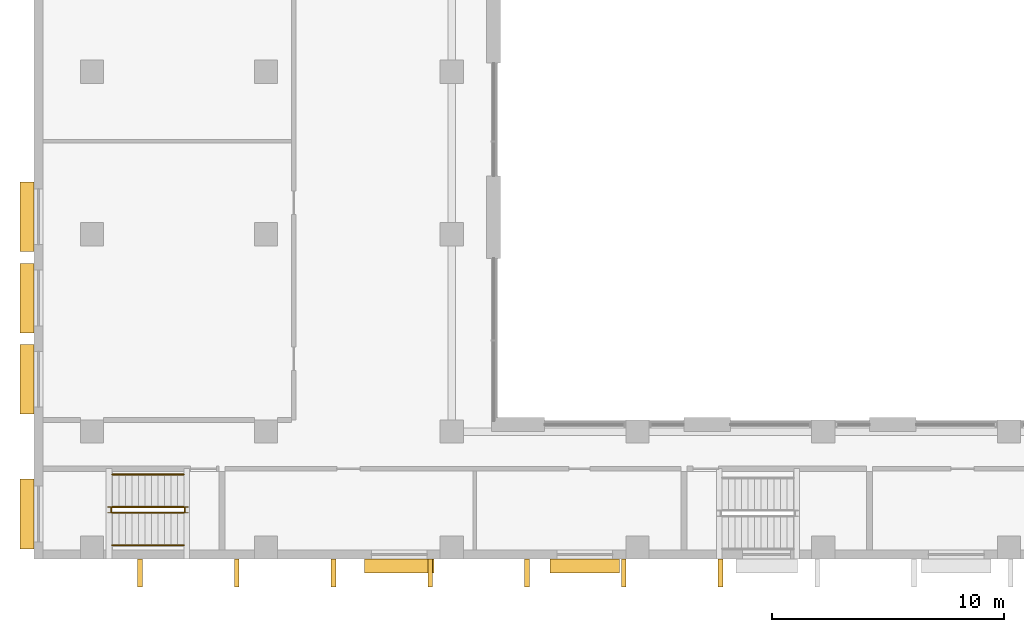
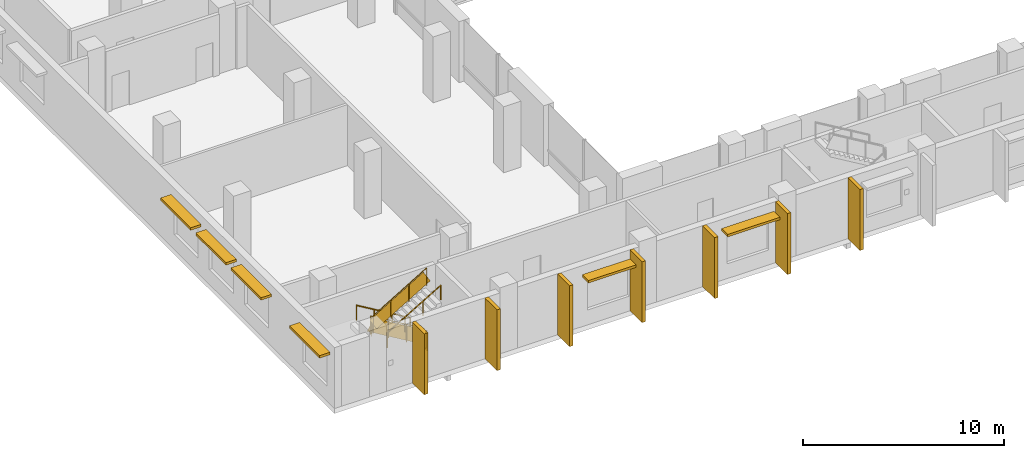
# One storey, part 17 of 25: 13 shading devices, 6 railings.
"""IFC4 building model written with IfcOpenShell, lengths in metres."""

from ifc_helpers import new_model, si_unit, direction, frame, frame_2d, origin, origin_2d, place, context, subcontext, project, spatial, rectangle, circle, extrude, material, layer, layer_set, type_object, element, save


model = new_model("IFC4")

# Units and contexts
model_context = context("Model", 3, precision=1e-05, world=origin(), true_north=direction((0.0, 1.0)))
body_context = subcontext(model_context, "Body", "Model", "MODEL_VIEW")
ifc_project = project(units=[si_unit("LENGTHUNIT", "METRE"), si_unit("AREAUNIT", "SQUARE_METRE"), si_unit("VOLUMEUNIT", "CUBIC_METRE"), si_unit("PLANEANGLEUNIT", "RADIAN"), si_unit("MASSUNIT", "GRAM", prefix="KILO")], contexts=[model_context])

# Site, building, storey
site_placement = place(None, origin())
site = spatial("IfcSite", under=ifc_project, at=site_placement, CompositionType="ELEMENT")
building_placement = place(site_placement, origin())
building = spatial("IfcBuilding", under=site, at=building_placement, Name="Vidyagriha Tower", CompositionType="ELEMENT")
storey_placement = place(building_placement, frame((0.0, 0.0, 18.0)))
storey = spatial("IfcBuildingStorey", under=building, at=storey_placement, Name="L04", CompositionType="ELEMENT", Elevation=18.0)

# Shading devices
ifc_material_1 = material(Name="Precast concrete C40/50 with brick facing", Category="concrete")
ifc_layer_1 = layer(ifc_material_1, 0.14990234375)
ifc_layer_set_1 = layer_set([ifc_layer_1], Name="Precast concrete C40/50 with brick facing")
shading_device_type_1 = type_object("IfcShadingDeviceType", Name="Brick chhajja window hood", PredefinedType="AWNING", material=ifc_layer_set_1)
for number, where, z_axis, x_axis, name in (
    (1, (-40.300048828125, -35.25, 3.0), (0.0, 0.0, 1.0), (0.0, -1.0, 0.0), "Window hood L04 R05.15"),
    (2, (-40.300048828125, -38.75, 3.0), (0.0, 0.0, 1.0), (0.0, -1.0, 0.0), "Window hood L04 R05.16"),
    (3, (-40.300048828125, -42.25, 3.0), (0.0, 0.0, 1.0), (0.0, -1.0, 0.0), "Window hood L04 R05.17"),
    (4, (-40.300048828125, -48.050048828125, 3.0), (0.0, 0.0, 1.0), (0.0, -1.0, 0.0), "Window hood L04 R05.19"),
):
    element("IfcShadingDevice", number, at=place(storey_placement, frame(where, z_axis=z_axis, x_axis=x_axis)), inside=storey, type_object=shading_device_type_1, Name=name, PredefinedType="AWNING", context=body_context, shape_type="SweptSolid", body=[
        extrude(rectangle(XDim=3.0, YDim=0.60009765625, at=origin_2d()), origin(), (0.0, 0.0, 1.0), 0.14990234375),
    ])
for number, where, name in (
    (5, (-24.264892578125, -50.300048828125, 3.0), "Window hood L04 R06.9"),
    (6, (-16.264892578125, -50.300048828125, 3.0), "Window hood L04 R06.13"),
):
    element("IfcShadingDevice", number, at=place(storey_placement, frame(where)), inside=storey, type_object=shading_device_type_1, Name=name, PredefinedType="AWNING", context=body_context, shape_type="SweptSolid", body=[
        extrude(rectangle(XDim=3.0, YDim=0.60009765625, at=origin_2d()), origin(), (0.0, 0.0, 1.0), 0.14990234375),
    ])
ifc_material_2 = material(Name="Precast concrete C40/50 with brick facing", Category="concrete")
ifc_layer_2 = layer(ifc_material_2, 0.199951171875)
ifc_layer_set_2 = layer_set([ifc_layer_2], Name="Precast concrete C40/50 with brick facing")
shading_device_type_2 = type_object("IfcShadingDeviceType", Name="Brick-faced solar fin 1200", PredefinedType="USERDEFINED", material=ifc_layer_set_2)
for number, where, z_axis, x_axis, name in (
    (7, (-35.431640625, -50.0, 0.0), (0.0, 0.0, 1.0), (0.0, -1.0, 0.0), "Solar fin L04 R06.1"),
    (8, (-31.26318359375, -50.0, 0.0), (0.0, 0.0, 1.0), (0.0, -1.0, 0.0), "Solar fin L04 R06.2"),
    (9, (-27.0947265625, -50.0, 0.0), (0.0, 0.0, 1.0), (0.0, -1.0, 0.0), "Solar fin L04 R06.3"),
    (10, (-22.92626953125, -50.0, 0.0), (0.0, 0.0, 1.0), (0.0, -1.0, 0.0), "Solar fin L04 R06.4"),
    (11, (-18.7578125, -50.0, 0.0), (0.0, 0.0, 1.0), (0.0, -1.0, 0.0), "Solar fin L04 R06.5"),
    (12, (-14.589599609375, -50.0, 0.0), (0.0, 0.0, 1.0), (0.0, -1.0, 0.0), "Solar fin L04 R06.6"),
    (13, (-10.421142578125, -50.0, 0.0), (0.0, 0.0, 1.0), (0.0, -1.0, 0.0), "Solar fin L04 R06.7"),
):
    element("IfcShadingDevice", number, at=place(storey_placement, frame(where, z_axis=z_axis, x_axis=x_axis)), inside=storey, type_object=shading_device_type_2, Name=name, ObjectType="SOLAR FIN", PredefinedType="USERDEFINED", context=body_context, shape_type="SweptSolid", body=[
        extrude(rectangle(XDim=1.199951171875, YDim=0.199951171875, at=frame_2d((0.60009765625, 0.0))), origin(), (0.0, 0.0, 1.0), 3.699951171875),
    ])

# Railings
ifc_material_3 = material(Name="Powder coated ASTM A500 Grade C steel balustrade", Category="steel")
railing_type_1 = type_object("IfcRailingType", Name="Podium Stair Guard 1100", PredefinedType="GUARDRAIL", material=ifc_material_3)
railing_1_placement = place(storey_placement, frame((-33.544921875, -47.75, 0.166748046875)))
element("IfcRailing", 14, at=railing_1_placement, inside=storey, type_object=railing_type_1, Name="L04 PS1 stair guard 1", PredefinedType="GUARDRAIL", context=body_context, shape_type="SweptSolid", body=[
    extrude(circle(Radius=0.02392578125, at=origin_2d()), frame((0.0, 0.0, 1.076171875), z_axis=(-0.859308565015, 0.0, 0.511457515432), x_axis=(0.0, -1.0, 0.0)), (0.0, 0.0, 1.0), 3.58447265625),
    extrude(circle(Radius=0.02099609375, at=origin_2d()), origin(), (0.0, 0.0, 1.0), 1.052001953125),
    extrude(circle(Radius=0.02099609375, at=origin_2d()), frame((-1.026611328125, 0.0, 0.611083984375)), (0.0, 0.0, 1.0), 1.052001953125),
    extrude(circle(Radius=0.02099609375, at=origin_2d()), frame((-2.053466796875, 0.0, 1.22216796875)), (0.0, 0.0, 1.0), 1.052001953125),
    extrude(circle(Radius=0.02099609375, at=origin_2d()), frame((-3.080078125, 0.0, 1.833251953125)), (0.0, 0.0, 1.0), 1.052001953125),
    extrude(rectangle(XDim=0.010009765625, YDim=0.775146484375, at=origin_2d()), frame((0.0, 0.0, 0.551025390625), z_axis=(-0.859308565015, 0.0, 0.511457515432), x_axis=(0.0, -1.0, 0.0)), (0.0, 0.0, 1.0), 3.58447265625),
])
railing_2_placement = place(storey_placement, frame((-36.675048828125, -47.800048828125, 2.0)))
element("IfcRailing", 15, at=railing_2_placement, inside=storey, type_object=railing_type_1, Name="L04 PS1 stair guard 2", PredefinedType="GUARDRAIL", context=body_context, shape_type="SweptSolid", body=[
    extrude(circle(Radius=0.02392578125, at=origin_2d()), frame((0.0, 0.0, 1.076171875), z_axis=(0.0, -1.0, 0.0), x_axis=(1.0, 0.0, 0.0)), (0.0, 0.0, 1.0), 0.14990234375),
    extrude(circle(Radius=0.02099609375, at=origin_2d()), origin(), (0.0, 0.0, 1.0), 1.052001953125),
    extrude(circle(Radius=0.02099609375, at=origin_2d()), frame((0.0, -0.14990234375, 0.0)), (0.0, 0.0, 1.0), 1.052001953125),
    extrude(rectangle(XDim=0.010009765625, YDim=0.902099609375, at=origin_2d()), frame((0.0, 0.0, 0.551025390625), z_axis=(0.0, -1.0, 0.0), x_axis=(1.0, 0.0, 0.0)), (0.0, 0.0, 1.0), 0.14990234375),
])
railing_3_placement = place(storey_placement, frame((-36.625, -48.0, 2.166748046875)))
element("IfcRailing", 16, at=railing_3_placement, inside=storey, type_object=railing_type_1, Name="L04 PS1 stair guard 3", PredefinedType="GUARDRAIL", context=body_context, shape_type="SweptSolid", body=[
    extrude(circle(Radius=0.02392578125, at=origin_2d()), frame((0.0, 0.0, 1.076171875), z_axis=(0.859308565015, 0.0, 0.511457515432), x_axis=(0.0, 1.0, 0.0)), (0.0, 0.0, 1.0), 3.58447265625),
    extrude(circle(Radius=0.02099609375, at=origin_2d()), origin(), (0.0, 0.0, 1.0), 1.052001953125),
    extrude(circle(Radius=0.02099609375, at=origin_2d()), frame((1.026611328125, 0.0, 0.611083984375)), (0.0, 0.0, 1.0), 1.052001953125),
    extrude(circle(Radius=0.02099609375, at=origin_2d()), frame((2.053466796875, 0.0, 1.22216796875)), (0.0, 0.0, 1.0), 1.052001953125),
    extrude(circle(Radius=0.02099609375, at=origin_2d()), frame((3.080078125, 0.0, 1.833251953125)), (0.0, 0.0, 1.0), 1.052001953125),
    extrude(rectangle(XDim=0.010009765625, YDim=0.775146484375, at=origin_2d()), frame((0.0, 0.0, 0.551025390625), z_axis=(0.859308565015, 0.0, 0.511457515432), x_axis=(0.0, 1.0, 0.0)), (0.0, 0.0, 1.0), 3.58447265625),
])
railing_4_placement = place(storey_placement, frame((-33.4951171875, -47.800048828125, 0.0)))
element("IfcRailing", 17, at=railing_4_placement, inside=storey, type_object=railing_type_1, Name="L04 PS1 stair guard 4", PredefinedType="GUARDRAIL", context=body_context, shape_type="SweptSolid", body=[
    extrude(circle(Radius=0.02392578125, at=origin_2d()), frame((0.0, 0.0, 1.076171875), z_axis=(0.0, -1.0, 0.0), x_axis=(1.0, 0.0, 0.0)), (0.0, 0.0, 1.0), 0.14990234375),
    extrude(circle(Radius=0.02099609375, at=origin_2d()), origin(), (0.0, 0.0, 1.0), 1.052001953125),
    extrude(circle(Radius=0.02099609375, at=origin_2d()), frame((0.0, -0.14990234375, 0.0)), (0.0, 0.0, 1.0), 1.052001953125),
    extrude(rectangle(XDim=0.010009765625, YDim=0.902099609375, at=origin_2d()), frame((0.0, 0.0, 0.551025390625), z_axis=(0.0, -1.0, 0.0), x_axis=(1.0, 0.0, 0.0)), (0.0, 0.0, 1.0), 0.14990234375),
])
ifc_material_4 = material(Name="Powder coated ASTM A500 Grade C steel handrail", Category="steel")
railing_type_2 = type_object("IfcRailingType", Name="Podium Stair Handrail 900", PredefinedType="HANDRAIL", material=ifc_material_4)
railing_5_placement = place(storey_placement, frame((-33.544921875, -46.35009765625, 0.166748046875)))
element("IfcRailing", 18, at=railing_5_placement, inside=storey, type_object=railing_type_2, Name="L04 PS1 stair handrail 1", PredefinedType="HANDRAIL", context=body_context, shape_type="SweptSolid", body=[
    extrude(circle(Radius=0.02392578125, at=origin_2d()), frame((0.0, 0.0, 0.8759765625), z_axis=(-0.859308565015, 0.0, 0.511457515432), x_axis=(0.0, -1.0, 0.0)), (0.0, 0.0, 1.0), 3.58447265625),
    extrude(circle(Radius=0.02099609375, at=origin_2d()), origin(), (0.0, 0.0, 1.0), 0.851806640625),
    extrude(circle(Radius=0.02099609375, at=origin_2d()), frame((-1.026611328125, 0.0, 0.611083984375)), (0.0, 0.0, 1.0), 0.851806640625),
    extrude(circle(Radius=0.02099609375, at=origin_2d()), frame((-2.053466796875, 0.0, 1.22216796875)), (0.0, 0.0, 1.0), 0.851806640625),
    extrude(circle(Radius=0.02099609375, at=origin_2d()), frame((-3.080078125, 0.0, 1.833251953125)), (0.0, 0.0, 1.0), 0.851806640625),
])
railing_6_placement = place(storey_placement, frame((-36.625, -49.39990234375, 2.166748046875)))
element("IfcRailing", 19, at=railing_6_placement, inside=storey, type_object=railing_type_2, Name="L04 PS1 stair handrail 2", PredefinedType="HANDRAIL", context=body_context, shape_type="SweptSolid", body=[
    extrude(circle(Radius=0.02392578125, at=origin_2d()), frame((0.0, 0.0, 0.8759765625), z_axis=(0.859308565015, 0.0, 0.511457515432), x_axis=(0.0, 1.0, 0.0)), (0.0, 0.0, 1.0), 3.58447265625),
    extrude(circle(Radius=0.02099609375, at=origin_2d()), origin(), (0.0, 0.0, 1.0), 0.851806640625),
    extrude(circle(Radius=0.02099609375, at=origin_2d()), frame((1.026611328125, 0.0, 0.611083984375)), (0.0, 0.0, 1.0), 0.851806640625),
    extrude(circle(Radius=0.02099609375, at=origin_2d()), frame((2.053466796875, 0.0, 1.22216796875)), (0.0, 0.0, 1.0), 0.851806640625),
    extrude(circle(Radius=0.02099609375, at=origin_2d()), frame((3.080078125, 0.0, 1.833251953125)), (0.0, 0.0, 1.0), 0.851806640625),
])

save(model, "model.ifc")
